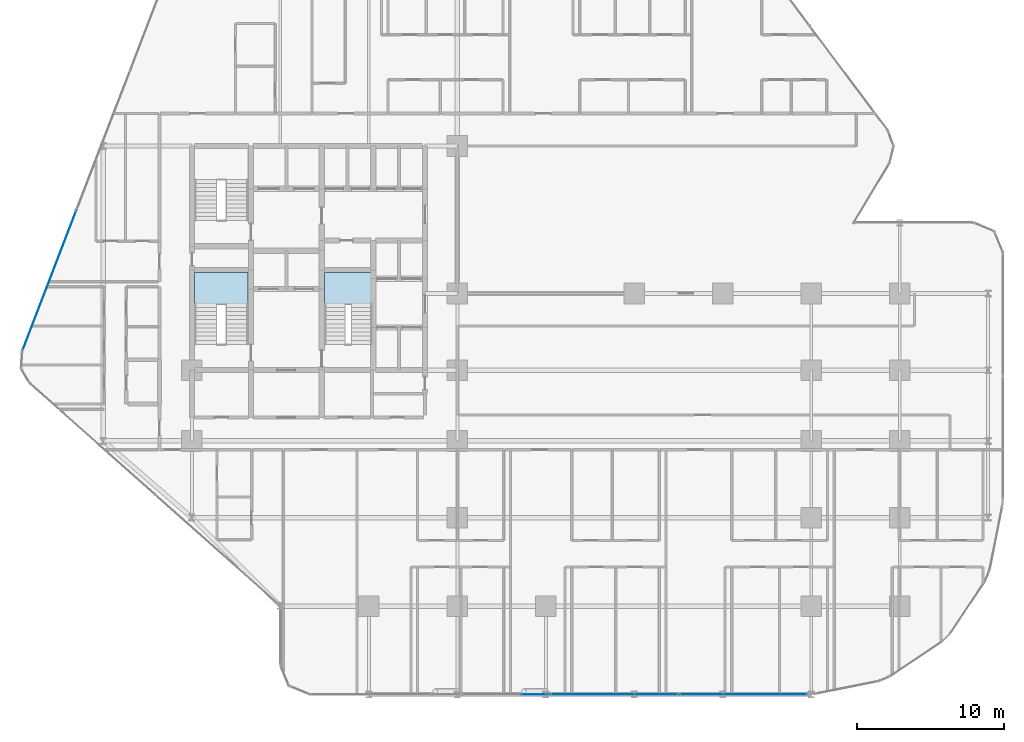
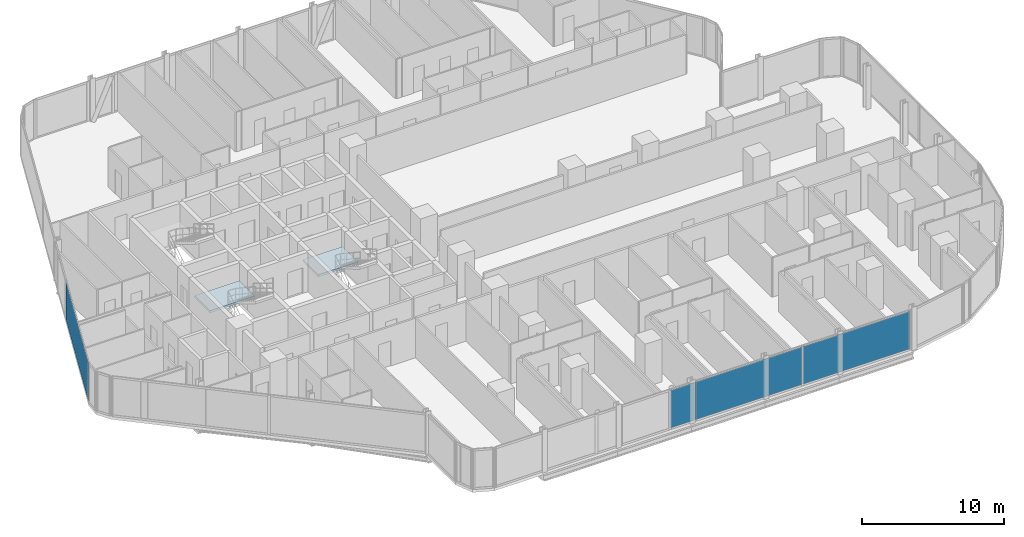
# One storey, part 21 of 33: 4 plates, 2 slabs, 5 elements without a shape of their own.
"""IFC4 building model written with IfcOpenShell, lengths in metres."""

from ifc_helpers import new_model, si_unit, direction, frame, origin, origin_2d, place, context, subcontext, project, spatial, polyline, rectangle, outline, extrude, material, layer, layer_set, type_object, element, aggregate, save


model = new_model("IFC4")

# Units and contexts
model_context = context("Model", 3, precision=1e-05, world=origin(), true_north=direction((0.0, 1.0)))
body_context = subcontext(model_context, "Body", "Model", "MODEL_VIEW")
ifc_project = project(units=[si_unit("LENGTHUNIT", "METRE"), si_unit("AREAUNIT", "SQUARE_METRE"), si_unit("VOLUMEUNIT", "CUBIC_METRE"), si_unit("PLANEANGLEUNIT", "RADIAN"), si_unit("MASSUNIT", "GRAM", prefix="KILO")], contexts=[model_context])

# Site, building, storey
site_placement = place(None, origin())
site = spatial("IfcSite", under=ifc_project, at=site_placement, CompositionType="ELEMENT")
building_placement = place(site_placement, origin())
building = spatial("IfcBuilding", under=site, at=building_placement, Name="Keshet Zoharim Tower", CompositionType="ELEMENT")
storey_placement = place(building_placement, frame((0.0, 0.0, 42.5)))
storey = spatial("IfcBuildingStorey", under=building, at=storey_placement, Name="L09", CompositionType="ELEMENT", Elevation=42.5)

# Curtain wall, plate
ifc_material_1 = material(Name="Aluminium 6063-T6", Category="aluminium")
ifc_layer_1 = layer(ifc_material_1, 0.179931640625)
ifc_layer_set_1 = layer_set([ifc_layer_1], Name="Aluminium 6063-T6")
curtain_wall_type = type_object("IfcCurtainWallType", Name="CW-SYS-01", PredefinedType="NOTDEFINED", material=ifc_layer_set_1)
curtain_wall_1_placement = place(storey_placement, origin())
curtain_wall_1 = element("IfcCurtainWall", 1, at=curtain_wall_1_placement, inside=storey, type_object=curtain_wall_type, Name="L09 Unitised Curtain Wall 04", PredefinedType="NOTDEFINED")
ifc_material_2 = material(Name="Insulated Low-E Clear Glass", Category="glass")
ifc_layer_2 = layer(ifc_material_2, 0.035888671875)
ifc_layer_set_2 = layer_set([ifc_layer_2], Name="Insulated Low-E Clear Glass")
plate_type_1 = type_object("IfcPlateType", Name="CWP-01", PredefinedType="CURTAIN_PANEL", material=ifc_layer_set_2)
plate_1_placement = place(storey_placement, frame((5.33837890625, 28.7802734375, 0.06982421875), z_axis=(0.0, 0.0, 1.0), x_axis=(0.358990003907, 0.933341404361, 0.0)))
plate_1 = element("IfcPlate", 2, at=plate_1_placement, type_object=plate_type_1, Name="CW-01 panel 1.1", PredefinedType="CURTAIN_PANEL", context=body_context, shape_type="SweptSolid", body=[
    extrude(rectangle(XDim=10.1181640625, YDim=0.035888671875, at=origin_2d()), origin(), (0.0, 0.0, 1.0), 3.2451171875),
])
aggregate(curtain_wall_1, [plate_1])

# Curtain wall, plates
curtain_wall_2_placement = place(storey_placement, origin())
curtain_wall_2 = element("IfcCurtainWall", 3, at=curtain_wall_2_placement, inside=storey, type_object=curtain_wall_type, Name="L09 Unitised Curtain Wall 26", PredefinedType="NOTDEFINED")
plate_2_placement = place(storey_placement, frame((52.400390625, 0.699951171875, 0.06982421875), z_axis=(0.0, 0.0, 1.0), x_axis=(-1.0, 0.0, 0.0)))
plate_2 = element("IfcPlate", 4, at=plate_2_placement, type_object=plate_type_1, Name="CW-01 panel 1.1", PredefinedType="CURTAIN_PANEL", context=body_context, shape_type="SweptSolid", body=[
    extrude(rectangle(XDim=8.665283203125, YDim=0.035888671875, at=origin_2d()), origin(), (0.0, 0.0, 1.0), 3.2451171875),
])
plate_3_placement = place(storey_placement, frame((43.665283203125, 0.699951171875, 0.06982421875), z_axis=(0.0, 0.0, 1.0), x_axis=(-1.0, 0.0, 0.0)))
plate_3 = element("IfcPlate", 5, at=plate_3_placement, type_object=plate_type_1, Name="CW-01 panel 2.1", PredefinedType="CURTAIN_PANEL", context=body_context, shape_type="SweptSolid", body=[
    extrude(rectangle(XDim=8.665283203125, YDim=0.035888671875, at=origin_2d()), origin(), (0.0, 0.0, 1.0), 3.2451171875),
])
aggregate(curtain_wall_2, [plate_2, plate_3])

# Curtain wall, plate
curtain_wall_3_placement = place(storey_placement, origin())
curtain_wall_3 = element("IfcCurtainWall", 6, at=curtain_wall_3_placement, inside=storey, type_object=curtain_wall_type, Name="L09 Unitised Curtain Wall 26 Part 2", PredefinedType="NOTDEFINED")
ifc_material_3 = material(Name="Insulated Aluminium Spandrel Panel", Category="aluminium")
ifc_layer_3 = layer(ifc_material_3, 0.035888671875)
ifc_layer_set_3 = layer_set([ifc_layer_3], Name="Insulated Aluminium Spandrel Panel")
plate_type_2 = type_object("IfcPlateType", Name="CWP-04", PredefinedType="CURTAIN_PANEL", material=ifc_layer_set_3)
plate_4_placement = place(storey_placement, frame((38.284912109375, 0.699951171875, 0.06982421875), z_axis=(0.0, 0.0, 1.0), x_axis=(-1.0, 0.0, 0.0)))
plate_4 = element("IfcPlate", 7, at=plate_4_placement, type_object=plate_type_2, Name="CW-01 spandrel panel 1.1", PredefinedType="CURTAIN_PANEL", context=body_context, shape_type="SweptSolid", body=[
    extrude(rectangle(XDim=1.955078125, YDim=0.035888671875, at=origin_2d()), origin(), (0.0, 0.0, 1.0), 3.2451171875),
])
aggregate(curtain_wall_3, [plate_4])

# Stair, slab
ifc_material_4 = material(Name="Concrete C50/60", Category="concrete")
stair_type = type_object("IfcStairType", Name="STR-EXIT-135", PredefinedType="HALF_TURN_STAIR", material=ifc_material_4)
stair_1_placement = place(storey_placement, origin())
stair_1 = element("IfcStair", 8, at=stair_1_placement, inside=storey, type_object=stair_type, Name="L09 Enclosed Exit Stair ST-01", PredefinedType="HALF_TURN_STAIR")
ifc_layer_4 = layer(ifc_material_4, 0.199951171875)
ifc_layer_set_4 = layer_set([ifc_layer_4], Name="Concrete C50/60")
slab_type = type_object("IfcSlabType", Name="SLB-LND-200", PredefinedType="LANDING", material=ifc_layer_set_4)
slab_1_placement = place(storey_placement, frame((0.0, 0.0, 1.64990234375)))
slab_1 = element("IfcSlab", 9, at=slab_1_placement, type_object=slab_type, Name="ST-01 landing 1", PredefinedType="LANDING", context=body_context, shape_type="SweptSolid", body=[
    extrude(outline(polyline([(15.179931640625, 27.159912109375), (18.820068359375, 27.159912109375), (18.820068359375, 29.320068359375), (15.179931640625, 29.320068359375), (15.179931640625, 27.159912109375)])), origin(), (0.0, 0.0, 1.0), 0.2001953125),
])
aggregate(stair_1, [slab_1])

stair_2_placement = place(storey_placement, origin())
stair_2 = element("IfcStair", 10, at=stair_2_placement, inside=storey, type_object=stair_type, Name="L09 Enclosed Exit Stair ST-03", PredefinedType="HALF_TURN_STAIR")
slab_2_placement = place(storey_placement, frame((0.0, 0.0, 1.64990234375)))
slab_2 = element("IfcSlab", 11, at=slab_2_placement, type_object=slab_type, Name="ST-03 landing 1", PredefinedType="LANDING", context=body_context, shape_type="SweptSolid", body=[
    extrude(outline(polyline([(23.97998046875, 27.159912109375), (27.219970703125, 27.159912109375), (27.219970703125, 29.320068359375), (23.97998046875, 29.320068359375), (23.97998046875, 27.159912109375)])), origin(), (0.0, 0.0, 1.0), 0.2001953125),
])
aggregate(stair_2, [slab_2])

save(model, "model.ifc")
